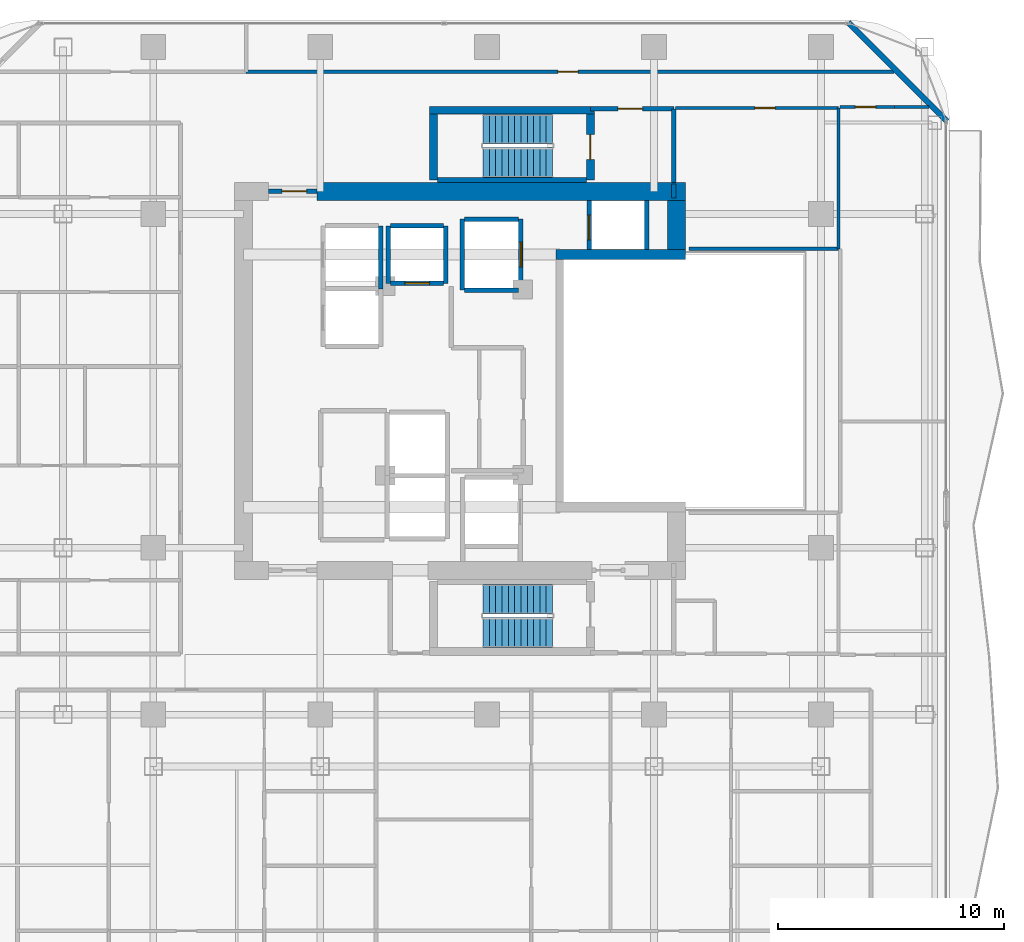
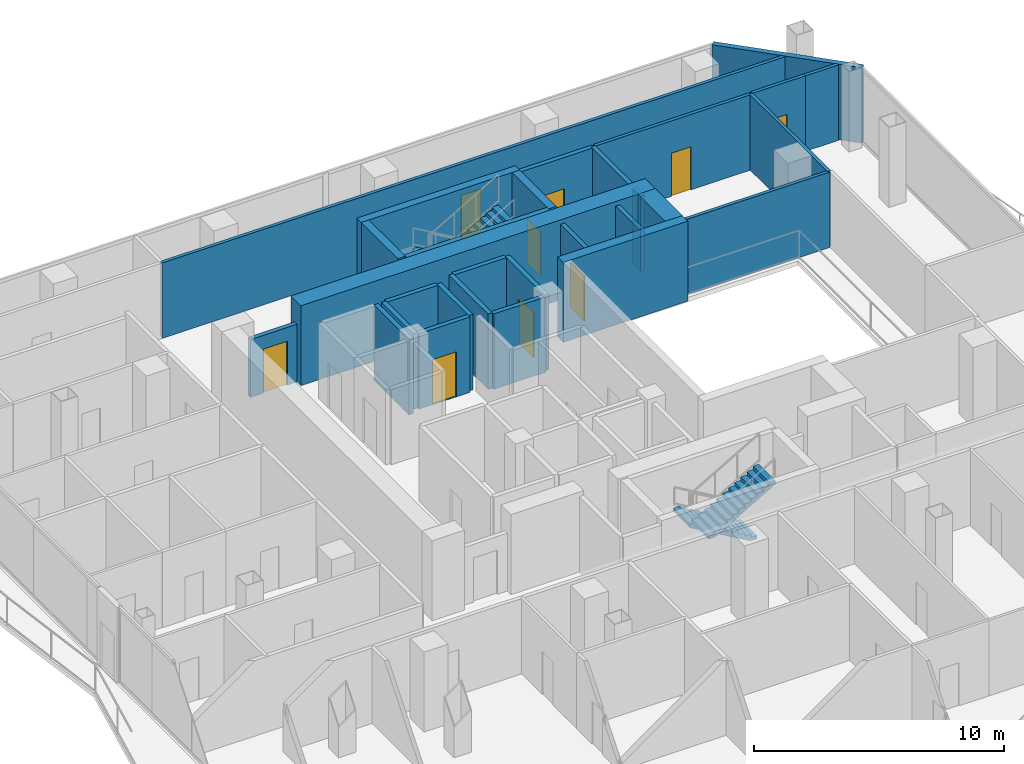
# One storey, part 20 of 23: 29 walls, 9 doors, 4 stair flights, 9 openings, 2 elements without a shape of their own.
"""IFC4 building model written with IfcOpenShell, lengths in metres."""

from ifc_helpers import new_model, si_unit, direction, frame, frame_2d, origin, place, context, subcontext, project, spatial, polyline, rectangle, outline, extrude, material, layer, layer_set, type_object, element, fill, aggregate, save


model = new_model("IFC4")

# Units and contexts
model_context = context("Model", 3, precision=1e-05, world=origin(), true_north=direction((0.0, 1.0)))
body_context = subcontext(model_context, "Body", "Model", "MODEL_VIEW")
ifc_project = project(units=[si_unit("LENGTHUNIT", "METRE"), si_unit("AREAUNIT", "SQUARE_METRE"), si_unit("VOLUMEUNIT", "CUBIC_METRE"), si_unit("PLANEANGLEUNIT", "RADIAN"), si_unit("MASSUNIT", "GRAM", prefix="KILO")], contexts=[model_context])

# Site, building, storey
site_placement = place(None, origin())
site = spatial("IfcSite", under=ifc_project, at=site_placement, CompositionType="ELEMENT")
building_placement = place(site_placement, origin())
building = spatial("IfcBuilding", under=site, at=building_placement, Name="Khorvyn Point Tower", CompositionType="ELEMENT")
storey_placement = place(building_placement, frame((0.0, 0.0, 199.199951171875)))
storey = spatial("IfcBuildingStorey", under=building, at=storey_placement, Name="L49", CompositionType="ELEMENT", Elevation=199.199951171875)

# Walls
ifc_material_1 = material(Name="Pale anodised aluminium rainscreen on steel stud", Category="steel")
ifc_layer_1 = layer(ifc_material_1, 0.239990234375)
ifc_layer_set_1 = layer_set([ifc_layer_1], Name="Anodised Aluminium Insulated Corner Spandrel Wall 240")
wall_type_1 = type_object("IfcWallType", Name="Anodised Aluminium Insulated Corner Spandrel Wall 240", PredefinedType="SOLIDWALL", material=ifc_layer_set_1)
wall_1_placement = place(storey_placement, frame((16.007568359375, 15.892333984375, 0.0), z_axis=(0.0, 0.0, 1.0), x_axis=(0.707106781187, -0.707106781187, 0.0)))
element("IfcWall", 1, at=wall_1_placement, inside=storey, type_object=wall_type_1, Name="L49 Rounded Corner Wall NE", PredefinedType="SOLIDWALL", context=body_context, shape_type="SweptSolid", body=[
    extrude(rectangle(XDim=6.200927734375, YDim=0.239990234375, at=frame_2d((3.1005859375, 0.0))), origin(), (0.0, 0.0, 1.0), 3.679931640625),
])
ifc_material_2 = material(Name="Concrete C40/50", Category="concrete")
ifc_layer_2 = layer(ifc_material_2, 0.449951171875)
ifc_layer_set_2 = layer_set([ifc_layer_2], Name="Concrete C40/50 Core Shear Wall 450")
wall_type_2 = type_object("IfcWallType", Name="Concrete C40/50 Core Shear Wall 450", PredefinedType="SHEAR", material=ifc_layer_set_2)
wall_2_placement = place(storey_placement, frame((3.044921875, 5.60009765625, 0.0), z_axis=(0.0, 0.0, 1.0), x_axis=(1.0, 0.0, 0.0)))
element("IfcWall", 2, at=wall_2_placement, inside=storey, type_object=wall_type_2, Name="Wall", PredefinedType="SHEAR", context=body_context, shape_type="SweptSolid", body=[
    extrude(rectangle(XDim=5.755126953125, YDim=0.449951171875, at=frame_2d((2.87744140625, 0.0))), origin(), (0.0, 0.0, 1.0), 3.900146484375),
])

# Wall, opening, door
ifc_layer_3 = layer(ifc_material_2, 0.199951171875)
ifc_layer_set_3 = layer_set([ifc_layer_3], Name="Concrete C40/50 Fire-Lobby Compartment Wall 200")
wall_type_3 = type_object("IfcWallType", Name="Concrete C40/50 Fire-Lobby Compartment Wall 200", PredefinedType="SOLIDWALL", material=ifc_layer_set_3)
wall_3_placement = place(storey_placement, frame((4.580078125, 12.06005859375, 0.0), z_axis=(0.0, 0.0, 1.0), x_axis=(1.0, 0.0, 0.0)))
wall_3 = element("IfcWall", 3, at=wall_3_placement, inside=storey, type_object=wall_type_3, Name="Wall", PredefinedType="SOLIDWALL", context=body_context, shape_type="SweptSolid", body=[
    extrude(rectangle(XDim=3.699951171875, YDim=0.199951171875, at=frame_2d((1.85009765625, 0.0))), origin(), (0.0, 0.0, 1.0), 3.679931640625),
])
opening_1_placement = place(wall_3_placement, frame((1.21240234375, 0.0, 0.0)))
opening_1 = element("IfcOpeningElement", 4, at=opening_1_placement, cuts=wall_3, Name="Opening ID-FL90", PredefinedType="OPENING", context=body_context, shape_type="SweptSolid", body=[
    extrude(rectangle(XDim=1.10009765625, YDim=2.14990234375, at=frame_2d((0.550048828125, 1.074951171875))), frame((0.0, 0.10986328125, 0.0), z_axis=(0.0, -1.0, 0.0), x_axis=(1.0, 0.0, 0.0)), (0.0, 0.0, 1.0), 0.219970703125),
])
ifc_material_3 = material(Name="Galvanised powder-coated steel", Category="steel")
door_type_1 = type_object("IfcDoorType", Name="Fire-Rated Steel Lobby and Stair Door 1100x2150", OperationType="NOTDEFINED", PredefinedType="DOOR", material=ifc_material_3)
door_1_placement = place(opening_1_placement, origin())
door_1 = element("IfcDoor", 5, at=door_1_placement, inside=storey, type_object=door_type_1, Name="Door", OperationType="SINGLE_SWING_LEFT", OverallHeight=2.14990234375, OverallWidth=1.10009765625, PredefinedType="DOOR", context=body_context, shape_type="SweptSolid", body=[
    extrude(rectangle(XDim=1.10009765625, YDim=2.14990234375, at=frame_2d((0.550048828125, 1.074951171875))), frame((0.0, 0.02490234375, 0.0), z_axis=(0.0, -1.0, 0.0), x_axis=(1.0, 0.0, 0.0)), (0.0, 0.0, 1.0), 0.050048828125),
])
fill(opening_1, door_1)

wall_4_placement = place(storey_placement, frame((-9.699951171875, 8.39990234375, 0.0), z_axis=(0.0, 0.0, 1.0), x_axis=(1.0, 0.0, 0.0)))
wall_4 = element("IfcWall", 6, at=wall_4_placement, inside=storey, type_object=wall_type_3, Name="Wall", PredefinedType="SOLIDWALL", context=body_context, shape_type="SweptSolid", body=[
    extrude(rectangle(XDim=2.14990234375, YDim=0.199951171875, at=frame_2d((1.074951171875, 0.0))), origin(), (0.0, 0.0, 1.0), 2.820068359375),
])
opening_2_placement = place(wall_4_placement, frame((0.597900390625, 0.0, 0.0)))
opening_2 = element("IfcOpeningElement", 7, at=opening_2_placement, cuts=wall_4, Name="Opening ID-FL90", PredefinedType="OPENING", context=body_context, shape_type="SweptSolid", body=[
    extrude(rectangle(XDim=1.10009765625, YDim=2.14990234375, at=frame_2d((0.550048828125, 1.074951171875))), frame((0.0, 0.10986328125, 0.0), z_axis=(0.0, -1.0, 0.0), x_axis=(1.0, 0.0, 0.0)), (0.0, 0.0, 1.0), 0.219970703125),
])
door_2_placement = place(opening_2_placement, origin())
door_2 = element("IfcDoor", 8, at=door_2_placement, inside=storey, type_object=door_type_1, Name="Door", OperationType="SINGLE_SWING_LEFT", OverallHeight=2.14990234375, OverallWidth=1.10009765625, PredefinedType="DOOR", context=body_context, shape_type="SweptSolid", body=[
    extrude(rectangle(XDim=1.10009765625, YDim=2.14990234375, at=frame_2d((0.550048828125, 1.074951171875))), frame((0.0, 0.02490234375, 0.0), z_axis=(0.0, -1.0, 0.0), x_axis=(1.0, 0.0, 0.0)), (0.0, 0.0, 1.0), 0.050048828125),
])
fill(opening_2, door_2)

# Walls
wall_5_placement = place(storey_placement, frame((8.280029296875, 8.800048828125, 0.0), z_axis=(0.0, 0.0, 1.0), x_axis=(0.0, 1.0, 0.0)))
element("IfcWall", 9, at=wall_5_placement, inside=storey, type_object=wall_type_3, Name="Wall", PredefinedType="SOLIDWALL", context=body_context, shape_type="SweptSolid", body=[
    extrude(rectangle(XDim=3.260009765625, YDim=0.199951171875, at=frame_2d((1.6298828125, 0.0))), origin(), (0.0, 0.0, 1.0), 3.679931640625),
])
wall_6_placement = place(storey_placement, frame((8.280029296875, 8.10009765625, 0.0), z_axis=(0.0, 0.0, 1.0), x_axis=(0.0, 1.0, 0.0)))
element("IfcWall", 10, at=wall_6_placement, inside=storey, type_object=wall_type_3, Name="Wall", PredefinedType="SOLIDWALL", context=body_context, shape_type="SweptSolid", body=[
    extrude(rectangle(XDim=0.625, YDim=0.199951171875, at=frame_2d((0.3125, 0.0))), origin(), (0.0, 0.0, 1.0), 3.679931640625),
])
ifc_layer_4 = layer(ifc_material_2, 0.25)
ifc_layer_set_4 = layer_set([ifc_layer_4], Name="Concrete C40/50 Stair Inner Cheek Structural Wall 250")
wall_type_4 = type_object("IfcWallType", Name="Concrete C40/50 Stair Inner Cheek Structural Wall 250", PredefinedType="SHEAR", material=ifc_layer_set_4)
wall_7_placement = place(storey_placement, frame((-2.199951171875, 8.91259765625, 0.0), z_axis=(0.0, 0.0, 1.0), x_axis=(1.0, 0.0, 0.0)))
element("IfcWall", 11, at=wall_7_placement, inside=storey, type_object=wall_type_4, Name="Wall", PredefinedType="SHEAR", context=body_context, shape_type="SweptSolid", body=[
    extrude(rectangle(XDim=6.599853515625, YDim=0.22509765625, at=frame_2d((3.2998046875, 0.0))), origin(), (0.0, 0.0, 1.0), 3.900146484375),
])
ifc_layer_5 = layer(ifc_material_2, 0.35009765625)
ifc_layer_set_5 = layer_set([ifc_layer_5], Name="Concrete C40/50 Stair Shaft Structural Wall 350")
wall_type_5 = type_object("IfcWallType", Name="Concrete C40/50 Stair Shaft Structural Wall 350", PredefinedType="SHEAR", material=ifc_layer_set_5)
wall_8_placement = place(storey_placement, frame((-2.554931640625, 12.0, 0.0), z_axis=(0.0, 0.0, 1.0), x_axis=(1.0, 0.0, 0.0)))
element("IfcWall", 12, at=wall_8_placement, inside=storey, type_object=wall_type_5, Name="L49 ST-02 North Shaft Wall", PredefinedType="SHEAR", context=body_context, shape_type="SweptSolid", body=[
    extrude(rectangle(XDim=7.309814453125, YDim=0.35009765625, at=frame_2d((3.65478515625, 0.0))), origin(), (0.0, 0.0, 1.0), 3.900146484375),
])
wall_9_placement = place(storey_placement, frame((-2.3798828125, 8.89990234375, 0.0), z_axis=(0.0, 0.0, 1.0), x_axis=(0.0, 1.0, 0.0)))
element("IfcWall", 13, at=wall_9_placement, inside=storey, type_object=wall_type_5, Name="L49 ST-02 West Shaft Wall", PredefinedType="SHEAR", context=body_context, shape_type="SweptSolid", body=[
    extrude(rectangle(XDim=2.925048828125, YDim=0.35009765625, at=frame_2d((1.46240234375, 0.0))), origin(), (0.0, 0.0, 1.0), 3.900146484375),
])

# Wall, opening, door
wall_10_placement = place(storey_placement, frame((4.580078125, 11.824951171875, 0.0), z_axis=(0.0, 0.0, 1.0), x_axis=(0.0, -1.0, 0.0)))
wall_10 = element("IfcWall", 14, at=wall_10_placement, inside=storey, type_object=wall_type_5, Name="L49 ST-02 East Landing Door Wall", PredefinedType="SHEAR", context=body_context, shape_type="SweptSolid", body=[
    extrude(rectangle(XDim=2.925048828125, YDim=0.35009765625, at=frame_2d((1.46240234375, 0.0))), origin(), (0.0, 0.0, 1.0), 3.900146484375),
])
opening_3_placement = place(wall_10_placement, frame((0.91259765625, 0.0, 0.0)))
opening_3 = element("IfcOpeningElement", 15, at=opening_3_placement, cuts=wall_10, Name="Opening ID-FL90", PredefinedType="OPENING", context=body_context, shape_type="SweptSolid", body=[
    extrude(rectangle(XDim=1.10009765625, YDim=2.14990234375, at=frame_2d((0.550048828125, 1.074951171875))), frame((0.0, 0.18505859375, 0.0), z_axis=(0.0, -1.0, 0.0), x_axis=(1.0, 0.0, 0.0)), (0.0, 0.0, 1.0), 0.3701171875),
])
door_3_placement = place(opening_3_placement, origin())
door_3 = element("IfcDoor", 16, at=door_3_placement, inside=storey, type_object=door_type_1, Name="L49 ST-02 Smokeproof Landing Door", OperationType="SINGLE_SWING_RIGHT", OverallHeight=2.14990234375, OverallWidth=1.10009765625, PredefinedType="DOOR", context=body_context, shape_type="SweptSolid", body=[
    extrude(rectangle(XDim=1.10009765625, YDim=2.14990234375, at=frame_2d((0.550048828125, 1.074951171875))), frame((0.0, 0.02490234375, 0.0), z_axis=(0.0, -1.0, 0.0), x_axis=(1.0, 0.0, 0.0)), (0.0, 0.0, 1.0), 0.050048828125),
])
fill(opening_3, door_3)

# Walls
ifc_layer_6 = layer(ifc_material_2, 0.199951171875)
ifc_layer_set_6 = layer_set([ifc_layer_6], Name="Concrete C40/50 Structural Hoistway and Stair Shaft Wall 200")
wall_type_6 = type_object("IfcWallType", Name="Concrete C40/50 Structural Hoistway and Stair Shaft Wall 200", PredefinedType="SHEAR", material=ifc_layer_set_6)
wall_11_placement = place(storey_placement, frame((-4.72509765625, 4.074951171875, 0.0), z_axis=(0.0, 0.0, 1.0), x_axis=(0.0, 1.0, 0.0)))
element("IfcWall", 17, at=wall_11_placement, inside=storey, type_object=wall_type_6, Name="Wall", PredefinedType="SHEAR", context=body_context, shape_type="SweptSolid", body=[
    extrude(rectangle(XDim=2.800048828125, YDim=0.199951171875, at=frame_2d((1.39990234375, 0.0))), origin(), (0.0, 0.0, 1.0), 3.679931640625),
])
for number, where, z_axis, x_axis, name in (
    (18, (-4.375, 4.324951171875, 0.0), (0.0, 0.0, 1.0), (0.0, 1.0, 0.0), "Wall"),
    (19, (-1.824951171875, 4.324951171875, 0.0), (0.0, 0.0, 1.0), (0.0, 1.0, 0.0), "Wall"),
):
    element("IfcWall", number, at=place(storey_placement, frame(where, z_axis=z_axis, x_axis=x_axis)), inside=storey, type_object=wall_type_6, Name=name, PredefinedType="SHEAR", context=body_context, shape_type="SweptSolid", body=[
        extrude(rectangle(XDim=2.550048828125, YDim=0.199951171875, at=frame_2d((1.27490234375, 0.0))), origin(), (0.0, 0.0, 1.0), 3.679931640625),
    ])

# Wall, opening, door
wall_12_placement = place(storey_placement, frame((-4.27490234375, 4.324951171875, 0.0), z_axis=(0.0, 0.0, 1.0), x_axis=(1.0, 0.0, 0.0)))
wall_12 = element("IfcWall", 20, at=wall_12_placement, inside=storey, type_object=wall_type_6, Name="Wall", PredefinedType="SHEAR", context=body_context, shape_type="SweptSolid", body=[
    extrude(rectangle(XDim=2.349853515625, YDim=0.199951171875, at=frame_2d((1.1748046875, 0.0))), origin(), (0.0, 0.0, 1.0), 3.679931640625),
])
opening_4_placement = place(wall_12_placement, frame((0.625, 0.0, 0.0)))
opening_4 = element("IfcOpeningElement", 21, at=opening_4_placement, cuts=wall_12, Name="Opening LD-1122", PredefinedType="OPENING", context=body_context, shape_type="SweptSolid", body=[
    extrude(rectangle(XDim=1.10009765625, YDim=2.199951171875, at=frame_2d((0.550048828125, 1.10009765625))), frame((0.0, 0.10986328125, 0.0), z_axis=(0.0, -1.0, 0.0), x_axis=(1.0, 0.0, 0.0)), (0.0, 0.0, 1.0), 0.219970703125),
])
ifc_material_4 = material(Name="Stainless steel 1.4301", Category="steel")
door_type_2 = type_object("IfcDoorType", Name="Stainless Steel Automatic Sliding Lift Landing Door 1100x2200", OperationType="SLIDING_TO_LEFT", PredefinedType="DOOR", material=ifc_material_4)
door_4_placement = place(opening_4_placement, origin())
door_4 = element("IfcDoor", 22, at=door_4_placement, inside=storey, type_object=door_type_2, Name="L49 RM-03 Sliding Lift Landing Door", OperationType="SLIDING_TO_LEFT", OverallHeight=2.199951171875, OverallWidth=1.10009765625, PredefinedType="DOOR", context=body_context, shape_type="SweptSolid", body=[
    extrude(rectangle(XDim=1.10009765625, YDim=2.199951171875, at=frame_2d((0.550048828125, 1.10009765625))), frame((0.0, 0.02490234375, 0.0), z_axis=(0.0, -1.0, 0.0), x_axis=(1.0, 0.0, 0.0)), (0.0, 0.0, 1.0), 0.050048828125),
])
fill(opening_4, door_4)

# Walls
wall_13_placement = place(storey_placement, frame((-4.27490234375, 6.875, 0.0), z_axis=(0.0, 0.0, 1.0), x_axis=(1.0, 0.0, 0.0)))
element("IfcWall", 23, at=wall_13_placement, inside=storey, type_object=wall_type_6, Name="Wall", PredefinedType="SHEAR", context=body_context, shape_type="SweptSolid", body=[
    extrude(rectangle(XDim=2.349853515625, YDim=0.199951171875, at=frame_2d((1.1748046875, 0.0))), origin(), (0.0, 0.0, 1.0), 3.679931640625),
])
wall_14_placement = place(storey_placement, frame((-1.10009765625, 4.02490234375, 0.0), z_axis=(0.0, 0.0, 1.0), x_axis=(0.0, 1.0, 0.0)))
element("IfcWall", 24, at=wall_14_placement, inside=storey, type_object=wall_type_6, Name="Wall", PredefinedType="SHEAR", context=body_context, shape_type="SweptSolid", body=[
    extrude(rectangle(XDim=3.150146484375, YDim=0.199951171875, at=frame_2d((1.5751953125, 0.0))), origin(), (0.0, 0.0, 1.0), 3.679931640625),
])

# Wall, opening, door
wall_15_placement = place(storey_placement, frame((1.5, 4.02490234375, 0.0), z_axis=(0.0, 0.0, 1.0), x_axis=(0.0, 1.0, 0.0)))
wall_15 = element("IfcWall", 25, at=wall_15_placement, inside=storey, type_object=wall_type_6, Name="Wall", PredefinedType="SHEAR", context=body_context, shape_type="SweptSolid", body=[
    extrude(rectangle(XDim=3.150146484375, YDim=0.199951171875, at=frame_2d((1.5751953125, 0.0))), origin(), (0.0, 0.0, 1.0), 3.679931640625),
])
opening_5_placement = place(wall_15_placement, frame((1.02490234375, 0.0, 0.0)))
opening_5 = element("IfcOpeningElement", 26, at=opening_5_placement, cuts=wall_15, Name="Opening LD-1122", PredefinedType="OPENING", context=body_context, shape_type="SweptSolid", body=[
    extrude(rectangle(XDim=1.10009765625, YDim=2.199951171875, at=frame_2d((0.550048828125, 1.10009765625))), frame((0.0, 0.10986328125, 0.0), z_axis=(0.0, -1.0, 0.0), x_axis=(1.0, 0.0, 0.0)), (0.0, 0.0, 1.0), 0.219970703125),
])
door_5_placement = place(opening_5_placement, origin())
door_5 = element("IfcDoor", 27, at=door_5_placement, inside=storey, type_object=door_type_2, Name="L49 SV-01 Sliding Lift Landing Door", OperationType="SLIDING_TO_LEFT", OverallHeight=2.199951171875, OverallWidth=1.10009765625, PredefinedType="DOOR", context=body_context, shape_type="SweptSolid", body=[
    extrude(rectangle(XDim=1.10009765625, YDim=2.199951171875, at=frame_2d((0.550048828125, 1.10009765625))), frame((0.0, 0.02490234375, 0.0), z_axis=(0.0, -1.0, 0.0), x_axis=(1.0, 0.0, 0.0)), (0.0, 0.0, 1.0), 0.050048828125),
])
fill(opening_5, door_5)

# Walls
for number, where, z_axis, x_axis, name in (
    (28, (-1.0, 4.02490234375, 0.0), (0.0, 0.0, 1.0), (1.0, 0.0, 0.0), "Wall"),
    (29, (-1.0, 7.175048828125, 0.0), (0.0, 0.0, 1.0), (1.0, 0.0, 0.0), "Wall"),
):
    element("IfcWall", number, at=place(storey_placement, frame(where, z_axis=z_axis, x_axis=x_axis)), inside=storey, type_object=wall_type_6, Name=name, PredefinedType="SHEAR", context=body_context, shape_type="SweptSolid", body=[
        extrude(rectangle(XDim=2.39990234375, YDim=0.199951171875, at=frame_2d((1.199951171875, 0.0))), origin(), (0.0, 0.0, 1.0), 3.679931640625),
    ])

# Wall, opening, door
wall_16_placement = place(storey_placement, frame((4.52490234375, 5.824951171875, 0.0), z_axis=(0.0, 0.0, 1.0), x_axis=(0.0, 1.0, 0.0)))
wall_16 = element("IfcWall", 30, at=wall_16_placement, inside=storey, type_object=wall_type_6, Name="Wall", PredefinedType="SHEAR", context=body_context, shape_type="SweptSolid", body=[
    extrude(rectangle(XDim=2.175048828125, YDim=0.199951171875, at=frame_2d((1.08740234375, 0.0))), origin(), (0.0, 0.0, 1.0), 3.679931640625),
])
opening_6_placement = place(wall_16_placement, frame((0.425048828125, 0.0, 0.0)))
opening_6 = element("IfcOpeningElement", 31, at=opening_6_placement, cuts=wall_16, Name="Opening LD-1122", PredefinedType="OPENING", context=body_context, shape_type="SweptSolid", body=[
    extrude(rectangle(XDim=1.10009765625, YDim=2.199951171875, at=frame_2d((0.550048828125, 1.10009765625))), frame((0.0, 0.10986328125, 0.0), z_axis=(0.0, -1.0, 0.0), x_axis=(1.0, 0.0, 0.0)), (0.0, 0.0, 1.0), 0.219970703125),
])
door_6_placement = place(opening_6_placement, origin())
door_6 = element("IfcDoor", 32, at=door_6_placement, inside=storey, type_object=door_type_2, Name="L49 FF-02 Sliding Lift Landing Door", OperationType="SLIDING_TO_LEFT", OverallHeight=2.199951171875, OverallWidth=1.10009765625, PredefinedType="DOOR", context=body_context, shape_type="SweptSolid", body=[
    extrude(rectangle(XDim=1.10009765625, YDim=2.199951171875, at=frame_2d((0.550048828125, 1.10009765625))), frame((0.0, 0.02490234375, 0.0), z_axis=(0.0, -1.0, 0.0), x_axis=(1.0, 0.0, 0.0)), (0.0, 0.0, 1.0), 0.050048828125),
])
fill(opening_6, door_6)

# Walls
wall_17_placement = place(storey_placement, frame((7.074951171875, 5.824951171875, 0.0), z_axis=(0.0, 0.0, 1.0), x_axis=(0.0, 1.0, 0.0)))
element("IfcWall", 33, at=wall_17_placement, inside=storey, type_object=wall_type_6, Name="Wall", PredefinedType="SHEAR", context=body_context, shape_type="SweptSolid", body=[
    extrude(rectangle(XDim=2.175048828125, YDim=0.199951171875, at=frame_2d((1.08740234375, 0.0))), origin(), (0.0, 0.0, 1.0), 3.679931640625),
])
ifc_material_5 = material(Name="Concrete C45/55", Category="concrete")
ifc_layer_7 = layer(ifc_material_5, 0.800048828125)
ifc_layer_set_7 = layer_set([ifc_layer_7], Name="Concrete C45/55 Core Shear Wall 800")
wall_type_7 = type_object("IfcWallType", Name="Concrete C45/55 Core Shear Wall 800", PredefinedType="SHEAR", material=ifc_layer_set_7)
wall_18_placement = place(storey_placement, frame((-7.550048828125, 8.39990234375, 0.0), z_axis=(0.0, 0.0, 1.0), x_axis=(1.0, 0.0, 0.0)))
element("IfcWall", 34, at=wall_18_placement, inside=storey, type_object=wall_type_7, Name="Wall", PredefinedType="SHEAR", context=body_context, shape_type="SweptSolid", body=[
    extrude(rectangle(XDim=16.35009765625, YDim=0.800048828125, at=frame_2d((8.175048828125, 0.0))), origin(), (0.0, 0.0, 1.0), 3.900146484375),
])
wall_19_placement = place(storey_placement, frame((8.39990234375, 5.824951171875, 0.0), z_axis=(0.0, 0.0, 1.0), x_axis=(0.0, 1.0, 0.0)))
element("IfcWall", 35, at=wall_19_placement, inside=storey, type_object=wall_type_7, Name="Wall", PredefinedType="SHEAR", context=body_context, shape_type="SweptSolid", body=[
    extrude(rectangle(XDim=2.175048828125, YDim=0.800048828125, at=frame_2d((1.08740234375, 0.0))), origin(), (0.0, 0.0, 1.0), 3.900146484375),
])

# Wall, opening, door
ifc_material_6 = material(Name="Moisture-resistant gypsum and cement board", Category="gypsum")
ifc_layer_8 = layer(ifc_material_6, 0.14990234375)
ifc_layer_set_8 = layer_set([ifc_layer_8], Name="Moisture-Resistant Wet-Room Partition Wall 150")
wall_type_8 = type_object("IfcWallType", Name="Moisture-Resistant Wet-Room Partition Wall 150", PredefinedType="PARTITIONING", material=ifc_layer_set_8)
wall_20_placement = place(storey_placement, frame((8.360107421875, 12.10009765625, 0.0), z_axis=(0.0, 0.0, 1.0), x_axis=(1.0, 0.0, 0.0)))
wall_20 = element("IfcWall", 36, at=wall_20_placement, inside=storey, type_object=wall_type_8, Name="Wall", PredefinedType="PARTITIONING", context=body_context, shape_type="SweptSolid", body=[
    extrude(rectangle(XDim=7.219970703125, YDim=0.14990234375, at=frame_2d((3.60986328125, 0.0))), origin(), (0.0, 0.0, 1.0), 3.679931640625),
])
opening_7_placement = place(wall_20_placement, frame((3.512939453125, 0.0, 0.0)))
opening_7 = element("IfcOpeningElement", 37, at=opening_7_placement, cuts=wall_20, Name="Opening ID-RM90", PredefinedType="OPENING", context=body_context, shape_type="SweptSolid", body=[
    extrude(rectangle(XDim=0.89990234375, YDim=2.10009765625, at=frame_2d((0.449951171875, 1.050048828125))), frame((0.0, 0.0849609375, 0.0), z_axis=(0.0, -1.0, 0.0), x_axis=(1.0, 0.0, 0.0)), (0.0, 0.0, 1.0), 0.169921875),
])
ifc_material_7 = material(Name="Engineered oak veneer timber", Category="wood")
door_type_3 = type_object("IfcDoorType", Name="Flush Engineered Timber Room Door 900x2100", OperationType="NOTDEFINED", PredefinedType="DOOR", material=ifc_material_7)
door_7_placement = place(opening_7_placement, origin())
door_7 = element("IfcDoor", 38, at=door_7_placement, inside=storey, type_object=door_type_3, Name="Door", OperationType="SINGLE_SWING_RIGHT", OverallHeight=2.10009765625, OverallWidth=0.89990234375, PredefinedType="DOOR", context=body_context, shape_type="SweptSolid", body=[
    extrude(rectangle(XDim=0.89990234375, YDim=2.10009765625, at=frame_2d((0.449951171875, 1.050048828125))), frame((0.0, 0.02490234375, 0.0), z_axis=(0.0, -1.0, 0.0), x_axis=(1.0, 0.0, 0.0)), (0.0, 0.0, 1.0), 0.050048828125),
])
fill(opening_7, door_7)

wall_21_placement = place(storey_placement, frame((-10.68701171875, 13.699951171875, 0.0), z_axis=(0.0, 0.0, 1.0), x_axis=(1.0, 0.0, 0.0)))
wall_21 = element("IfcWall", 39, at=wall_21_placement, inside=storey, type_object=wall_type_8, Name="Wall", PredefinedType="PARTITIONING", context=body_context, shape_type="SweptSolid", body=[
    extrude(rectangle(XDim=28.717041015625, YDim=0.14990234375, at=frame_2d((14.3583984375, 0.0))), origin(), (0.0, 0.0, 1.0), 3.679931640625),
])
opening_8_placement = place(wall_21_placement, frame((13.818603515625, 0.0, 0.0)))
opening_8 = element("IfcOpeningElement", 40, at=opening_8_placement, cuts=wall_21, Name="Opening ID-RM90", PredefinedType="OPENING", context=body_context, shape_type="SweptSolid", body=[
    extrude(rectangle(XDim=0.89990234375, YDim=2.10009765625, at=frame_2d((0.449951171875, 1.050048828125))), frame((0.0, 0.0849609375, 0.0), z_axis=(0.0, -1.0, 0.0), x_axis=(1.0, 0.0, 0.0)), (0.0, 0.0, 1.0), 0.169921875),
])
door_8_placement = place(opening_8_placement, origin())
door_8 = element("IfcDoor", 41, at=door_8_placement, inside=storey, type_object=door_type_3, Name="Door", OperationType="SINGLE_SWING_RIGHT", OverallHeight=2.10009765625, OverallWidth=0.89990234375, PredefinedType="DOOR", context=body_context, shape_type="SweptSolid", body=[
    extrude(rectangle(XDim=0.89990234375, YDim=2.10009765625, at=frame_2d((0.449951171875, 1.050048828125))), frame((0.0, 0.02490234375, 0.0), z_axis=(0.0, -1.0, 0.0), x_axis=(1.0, 0.0, 0.0)), (0.0, 0.0, 1.0), 0.050048828125),
])
fill(opening_8, door_8)

wall_22_placement = place(storey_placement, frame((15.64990234375, 12.139892578125, 0.0), z_axis=(0.0, 0.0, 1.0), x_axis=(1.0, 0.0, 0.0)))
wall_22 = element("IfcWall", 42, at=wall_22_placement, inside=storey, type_object=wall_type_8, Name="Wall", PredefinedType="PARTITIONING", context=body_context, shape_type="SweptSolid", body=[
    extrude(rectangle(XDim=2.420166015625, YDim=0.14990234375, at=frame_2d((1.2099609375, 0.0))), origin(), (0.0, 0.0, 1.0), 3.679931640625),
])
opening_9_placement = place(wall_22_placement, frame((0.67431640625, 0.0, 0.0)))
opening_9 = element("IfcOpeningElement", 43, at=opening_9_placement, cuts=wall_22, Name="Opening ID-RM90", PredefinedType="OPENING", context=body_context, shape_type="SweptSolid", body=[
    extrude(rectangle(XDim=0.89990234375, YDim=2.10009765625, at=frame_2d((0.449951171875, 1.050048828125))), frame((0.0, 0.0849609375, 0.0), z_axis=(0.0, -1.0, 0.0), x_axis=(1.0, 0.0, 0.0)), (0.0, 0.0, 1.0), 0.169921875),
])
door_9_placement = place(opening_9_placement, origin())
door_9 = element("IfcDoor", 44, at=door_9_placement, inside=storey, type_object=door_type_3, Name="Door", OperationType="SINGLE_SWING_RIGHT", OverallHeight=2.10009765625, OverallWidth=0.89990234375, PredefinedType="DOOR", context=body_context, shape_type="SweptSolid", body=[
    extrude(rectangle(XDim=0.89990234375, YDim=2.10009765625, at=frame_2d((0.449951171875, 1.050048828125))), frame((0.0, 0.02490234375, 0.0), z_axis=(0.0, -1.0, 0.0), x_axis=(1.0, 0.0, 0.0)), (0.0, 0.0, 1.0), 0.050048828125),
])
fill(opening_9, door_9)

# Walls
wall_23_placement = place(storey_placement, frame((15.580078125, 5.85009765625, 0.0), z_axis=(0.0, 0.0, 1.0), x_axis=(0.0, 1.0, 0.0)))
element("IfcWall", 45, at=wall_23_placement, inside=storey, type_object=wall_type_8, Name="Wall", PredefinedType="PARTITIONING", context=body_context, shape_type="SweptSolid", body=[
    extrude(rectangle(XDim=6.25, YDim=0.14990234375, at=frame_2d((3.125, 0.0))), origin(), (0.0, 0.0, 1.0), 3.679931640625),
])
wall_24_placement = place(storey_placement, frame((8.9599609375, 5.85009765625, 0.0), z_axis=(0.0, 0.0, 1.0), x_axis=(1.0, 0.0, 0.0)))
element("IfcWall", 46, at=wall_24_placement, inside=storey, type_object=wall_type_8, Name="Wall", PredefinedType="PARTITIONING", context=body_context, shape_type="SweptSolid", body=[
    extrude(rectangle(XDim=6.6201171875, YDim=0.14990234375, at=frame_2d((3.31005859375, 0.0))), origin(), (0.0, 0.0, 1.0), 3.679931640625),
])
wall_25_placement = place(storey_placement, frame((18.070068359375, 12.139892578125, 0.0), z_axis=(0.0, 0.0, 1.0), x_axis=(1.0, 0.0, 0.0)))
element("IfcWall", 47, at=wall_25_placement, inside=storey, type_object=wall_type_8, Name="Wall", PredefinedType="PARTITIONING", context=body_context, shape_type="SweptSolid", body=[
    extrude(rectangle(XDim=1.52001953125, YDim=0.14990234375, at=frame_2d((0.760009765625, 0.0))), origin(), (0.0, 0.0, 1.0), 3.679931640625),
])

# Stair, stair flights
stair_type = type_object("IfcStairType", Name="Tower Concrete C40/50 Dogleg Exit Stair", PredefinedType="HALF_TURN_STAIR", material=ifc_material_2)
stair_1_placement = place(storey_placement, origin())
stair_1 = element("IfcStair", 48, at=stair_1_placement, inside=storey, type_object=stair_type, Name="L49 Tower Smokeproof Exit Stair South", PredefinedType="HALF_TURN_STAIR")
stair_flight_type = type_object("IfcStairFlightType", Name="Tower Concrete C40/50 Stair Flight", PredefinedType="STRAIGHT", material=ifc_material_2)
stair_flight_1_placement = place(storey_placement, frame((2.89990234375, -9.679931640625, 0.0), z_axis=(0.0, 0.0, 1.0), x_axis=(-1.0, 0.0, 0.0)))
stair_flight_1 = element("IfcStairFlight", 49, at=stair_flight_1_placement, type_object=stair_flight_type, Name="ST-01 flight 1", NumberOfRisers=12, NumberOfTreads=11, PredefinedType="STRAIGHT", RiserHeight=0.1625, TreadLength=0.28, context=body_context, shape_type="SweptSolid", body=[
    extrude(outline(polyline([(0.0, 0.0), (0.0, 0.16259765625), (0.280029296875, 0.16259765625), (0.280029296875, 0.324951171875), (0.56005859375, 0.324951171875), (0.56005859375, 0.487548828125), (0.840087890625, 0.487548828125), (0.840087890625, 0.64990234375), (1.1201171875, 0.64990234375), (1.1201171875, 0.8125), (1.39990234375, 0.8125), (1.39990234375, 0.97509765625), (1.679931640625, 0.97509765625), (1.679931640625, 1.137451171875), (1.9599609375, 1.137451171875), (1.9599609375, 1.300048828125), (2.239990234375, 1.300048828125), (2.239990234375, 1.46240234375), (2.52001953125, 1.46240234375), (2.52001953125, 1.625), (2.800048828125, 1.625), (2.800048828125, 1.78759765625), (3.080078125, 1.78759765625), (3.080078125, 1.949951171875), (3.080078125, 1.6142578125), (0.298583984375, 0.0), (0.0, 0.0)])), frame((0.0, 0.66015625, 0.0), z_axis=(0.0, -1.0, 0.0), x_axis=(1.0, 0.0, 0.0)), (0.0, 0.0, 1.0), 1.320068359375),
])
stair_flight_2_placement = place(storey_placement, frame((-0.179931640625, -11.159912109375, 1.949951171875), z_axis=(0.0, 0.0, 1.0), x_axis=(1.0, 0.0, 0.0)))
stair_flight_2 = element("IfcStairFlight", 50, at=stair_flight_2_placement, type_object=stair_flight_type, Name="ST-01 flight 2", NumberOfRisers=12, NumberOfTreads=11, PredefinedType="STRAIGHT", RiserHeight=0.1625, TreadLength=0.28, context=body_context, shape_type="SweptSolid", body=[
    extrude(outline(polyline([(0.0, 0.0), (0.0, 0.16259765625), (0.280029296875, 0.16259765625), (0.280029296875, 0.324951171875), (0.56005859375, 0.324951171875), (0.56005859375, 0.487548828125), (0.840087890625, 0.487548828125), (0.840087890625, 0.64990234375), (1.1201171875, 0.64990234375), (1.1201171875, 0.8125), (1.39990234375, 0.8125), (1.39990234375, 0.97509765625), (1.679931640625, 0.97509765625), (1.679931640625, 1.137451171875), (1.9599609375, 1.137451171875), (1.9599609375, 1.300048828125), (2.239990234375, 1.300048828125), (2.239990234375, 1.46240234375), (2.52001953125, 1.46240234375), (2.52001953125, 1.625), (2.800048828125, 1.625), (2.800048828125, 1.78759765625), (3.080078125, 1.78759765625), (3.080078125, 1.949951171875), (3.080078125, 1.6142578125), (0.298583984375, 0.0), (0.0, 0.0)])), frame((0.0, 0.66015625, 0.0), z_axis=(0.0, -1.0, 0.0), x_axis=(1.0, 0.0, 0.0)), (0.0, 0.0, 1.0), 1.320068359375),
])
aggregate(stair_1, [stair_flight_1, stair_flight_2])

stair_2_placement = place(storey_placement, origin())
stair_2 = element("IfcStair", 51, at=stair_2_placement, inside=storey, type_object=stair_type, Name="L49 Tower Smokeproof Exit Stair North", PredefinedType="HALF_TURN_STAIR")
stair_flight_3_placement = place(storey_placement, frame((2.89990234375, 11.159912109375, 0.0), z_axis=(0.0, 0.0, 1.0), x_axis=(-1.0, 0.0, 0.0)))
stair_flight_3 = element("IfcStairFlight", 52, at=stair_flight_3_placement, type_object=stair_flight_type, Name="ST-02 flight 1", NumberOfRisers=12, NumberOfTreads=11, PredefinedType="STRAIGHT", RiserHeight=0.1625, TreadLength=0.28, context=body_context, shape_type="SweptSolid", body=[
    extrude(outline(polyline([(0.0, 0.0), (0.0, 0.16259765625), (0.280029296875, 0.16259765625), (0.280029296875, 0.324951171875), (0.56005859375, 0.324951171875), (0.56005859375, 0.487548828125), (0.840087890625, 0.487548828125), (0.840087890625, 0.64990234375), (1.1201171875, 0.64990234375), (1.1201171875, 0.8125), (1.39990234375, 0.8125), (1.39990234375, 0.97509765625), (1.679931640625, 0.97509765625), (1.679931640625, 1.137451171875), (1.9599609375, 1.137451171875), (1.9599609375, 1.300048828125), (2.239990234375, 1.300048828125), (2.239990234375, 1.46240234375), (2.52001953125, 1.46240234375), (2.52001953125, 1.625), (2.800048828125, 1.625), (2.800048828125, 1.78759765625), (3.080078125, 1.78759765625), (3.080078125, 1.949951171875), (3.080078125, 1.6142578125), (0.298583984375, 0.0), (0.0, 0.0)])), frame((0.0, 0.66015625, 0.0), z_axis=(0.0, -1.0, 0.0), x_axis=(1.0, 0.0, 0.0)), (0.0, 0.0, 1.0), 1.320068359375),
])
stair_flight_4_placement = place(storey_placement, frame((-0.179931640625, 9.679931640625, 1.949951171875), z_axis=(0.0, 0.0, 1.0), x_axis=(1.0, 0.0, 0.0)))
stair_flight_4 = element("IfcStairFlight", 53, at=stair_flight_4_placement, type_object=stair_flight_type, Name="ST-02 flight 2", NumberOfRisers=12, NumberOfTreads=11, PredefinedType="STRAIGHT", RiserHeight=0.1625, TreadLength=0.28, context=body_context, shape_type="SweptSolid", body=[
    extrude(outline(polyline([(0.0, 0.0), (0.0, 0.16259765625), (0.280029296875, 0.16259765625), (0.280029296875, 0.324951171875), (0.56005859375, 0.324951171875), (0.56005859375, 0.487548828125), (0.840087890625, 0.487548828125), (0.840087890625, 0.64990234375), (1.1201171875, 0.64990234375), (1.1201171875, 0.8125), (1.39990234375, 0.8125), (1.39990234375, 0.97509765625), (1.679931640625, 0.97509765625), (1.679931640625, 1.137451171875), (1.9599609375, 1.137451171875), (1.9599609375, 1.300048828125), (2.239990234375, 1.300048828125), (2.239990234375, 1.46240234375), (2.52001953125, 1.46240234375), (2.52001953125, 1.625), (2.800048828125, 1.625), (2.800048828125, 1.78759765625), (3.080078125, 1.78759765625), (3.080078125, 1.949951171875), (3.080078125, 1.6142578125), (0.298583984375, 0.0), (0.0, 0.0)])), frame((0.0, 0.66015625, 0.0), z_axis=(0.0, -1.0, 0.0), x_axis=(1.0, 0.0, 0.0)), (0.0, 0.0, 1.0), 1.320068359375),
])
aggregate(stair_2, [stair_flight_3, stair_flight_4])

save(model, "model.ifc")
